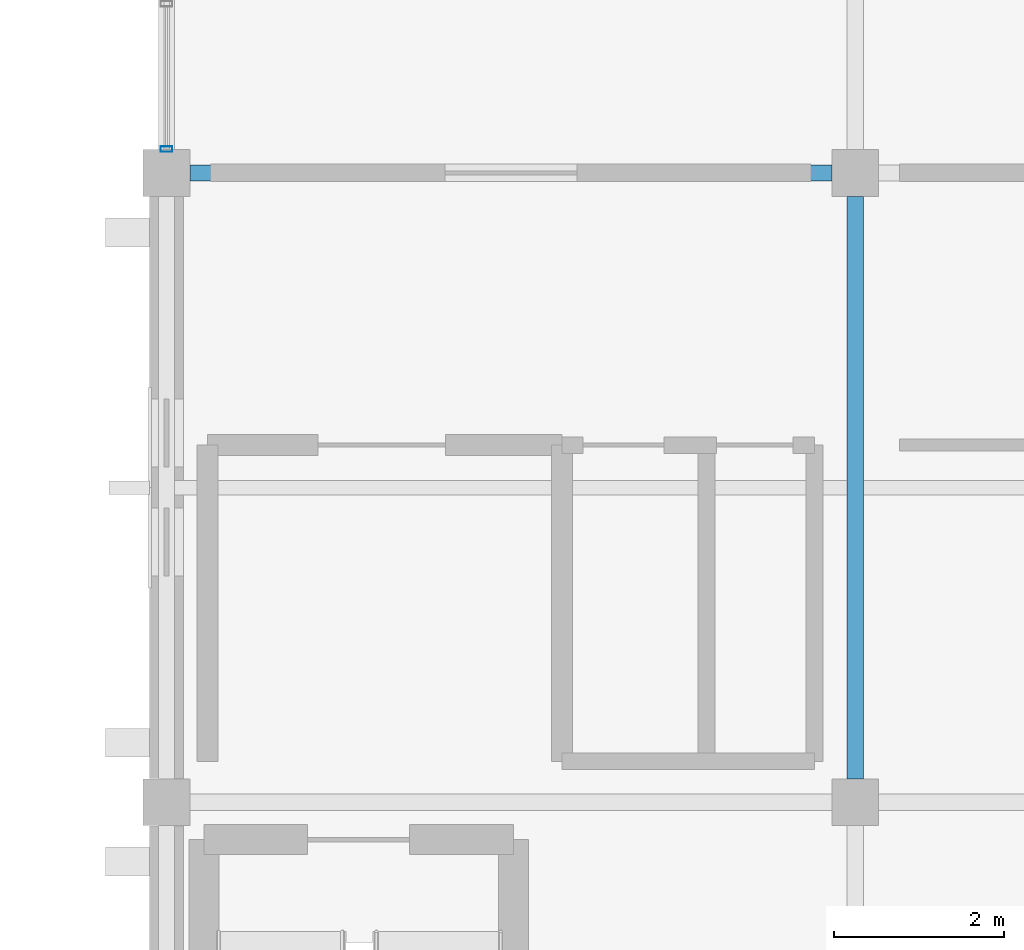
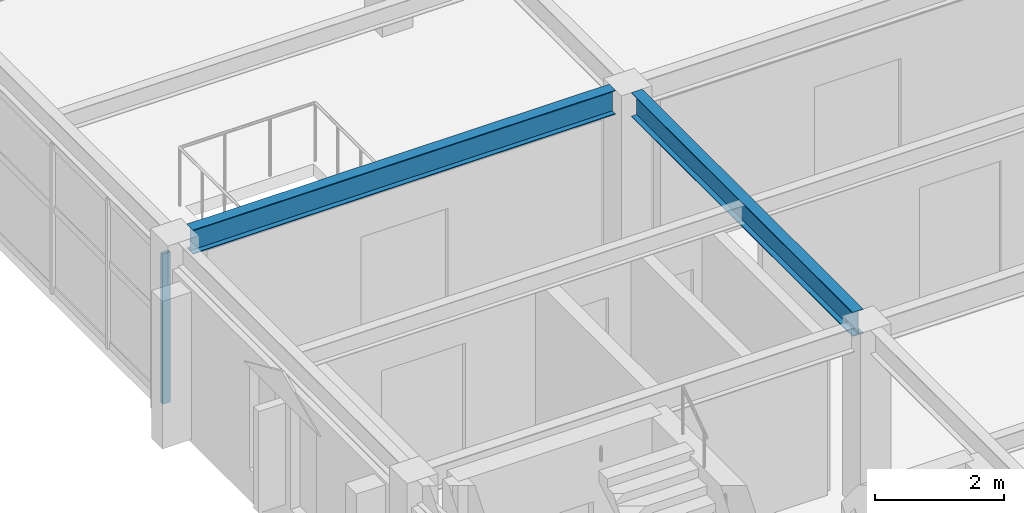
# One storey, part 8 of 93: 2 beams, 1 member, 1 element without a shape of its own.
"""IFC4 building model written with IfcOpenShell, lengths in metres."""

from ifc_helpers import new_model, si_unit, direction, frame, origin, origin_2d, place, context, subcontext, project, spatial, hollow_rectangle, i_section, extrude, material, material_profile, profile_set, type_object, element, aggregate, save


model = new_model("IFC4")

# Units and contexts
model_context = context("Model", 3, precision=1e-05, world=origin(), true_north=direction((0.0, 1.0)))
body_context = subcontext(model_context, "Body", "Model", "MODEL_VIEW")
ifc_project = project(units=[si_unit("LENGTHUNIT", "METRE"), si_unit("AREAUNIT", "SQUARE_METRE"), si_unit("VOLUMEUNIT", "CUBIC_METRE"), si_unit("PLANEANGLEUNIT", "RADIAN"), si_unit("MASSUNIT", "GRAM", prefix="KILO")], contexts=[model_context])

# Site, building, storey
site_placement = place(None, origin())
site = spatial("IfcSite", under=ifc_project, at=site_placement, CompositionType="ELEMENT")
building_placement = place(site_placement, origin())
building = spatial("IfcBuilding", under=site, at=building_placement, Name="Cimatlan Art Gallery", CompositionType="ELEMENT")
storey_placement = place(building_placement, frame((0.0, 0.0, 13.800048828125)))
storey = spatial("IfcBuildingStorey", under=building, at=storey_placement, Name="L03", CompositionType="ELEMENT", Elevation=13.800048828125)

# Beams
ifc_material_1 = material(Name="Steel ASTM A992 Grade 50", Category="steel")
ifc_material_profile_1 = material_profile(ifc_material_1, i_section(OverallWidth=0.19091796875, OverallDepth=0.45703125, WebThickness=0.009033203125, FlangeThickness=0.014404296875, at=origin_2d()), Name="W18X50")
ifc_profile_set_1 = profile_set([ifc_material_profile_1], Name="Steel ASTM A992 Grade 50")
beam_type = type_object("IfcBeamType", Name="BM-STL-W18X50", PredefinedType="BEAM", material=ifc_profile_set_1)
beam_1_placement = place(storey_placement, frame((42.5, 31.574951171875, 3.1513671875), z_axis=(0.0, 1.0, 0.0), x_axis=(-1.0, 0.0, 0.0)))
element("IfcBeam", 1, at=beam_1_placement, inside=storey, type_object=beam_type, Name="BM-Y-L03-05-04", PredefinedType="BEAM", context=body_context, shape_type="SweptSolid", body=[
    extrude(i_section(OverallWidth=0.19091796875, OverallDepth=0.45703125, WebThickness=0.009033203125, FlangeThickness=0.014404296875, at=origin_2d()), origin(), (0.0, 0.0, 1.0), 6.85009765625),
])
beam_2_placement = place(storey_placement, frame((34.675048828125, 38.699951171875, 3.1513671875), z_axis=(1.0, 0.0, 0.0), x_axis=(0.0, 1.0, 0.0)))
element("IfcBeam", 2, at=beam_2_placement, inside=storey, type_object=beam_type, Name="BM-X-L03-04-05", PredefinedType="BEAM", context=body_context, shape_type="SweptSolid", body=[
    extrude(i_section(OverallWidth=0.19091796875, OverallDepth=0.45703125, WebThickness=0.009033203125, FlangeThickness=0.014404296875, at=origin_2d()), origin(), (0.0, 0.0, 1.0), 7.550048828125),
])

# Curtain wall, member
ifc_material_2 = material(Name="Anodised bronze unitised curtain wall")
curtain_wall_type = type_object("IfcCurtainWallType", Name="CW-V-06842X02833-B4", PredefinedType="NOTDEFINED", material=ifc_material_2)
curtain_wall_placement = place(storey_placement, origin())
curtain_wall = element("IfcCurtainWall", 3, at=curtain_wall_placement, inside=storey, type_object=curtain_wall_type, Name="CW-L03-04-05-W", PredefinedType="NOTDEFINED")
ifc_material_3 = material(Name="Anodised bronze aluminium 6063-T6", Category="aluminium")
ifc_material_profile_2 = material_profile(ifc_material_3, hollow_rectangle(XDim=0.06494140625, YDim=0.139892578125, WallThickness=0.00390625, at=origin_2d()), Name="ALU65X140X4")
ifc_profile_set_2 = profile_set([ifc_material_profile_2], Name="Anodised bronze aluminium 6063-T6")
member_type = type_object("IfcMemberType", Name="CW-MUL-140", PredefinedType="MULLION", material=ifc_profile_set_2)
member_placement = place(storey_placement, frame((34.39990234375, 38.97900390625, 0.0), z_axis=(0.0, 0.0, 1.0), x_axis=(0.0, 1.0, 0.0)))
member = element("IfcMember", 4, at=member_placement, type_object=member_type, Name="CW-L03-04-05-W-M1", PredefinedType="MULLION", context=body_context, shape_type="SweptSolid", body=[
    extrude(hollow_rectangle(XDim=0.06494140625, YDim=0.139892578125, WallThickness=0.00390625, at=origin_2d()), origin(), (0.0, 0.0, 1.0), 2.8330078125),
])
aggregate(curtain_wall, [member])

save(model, "model.ifc")
